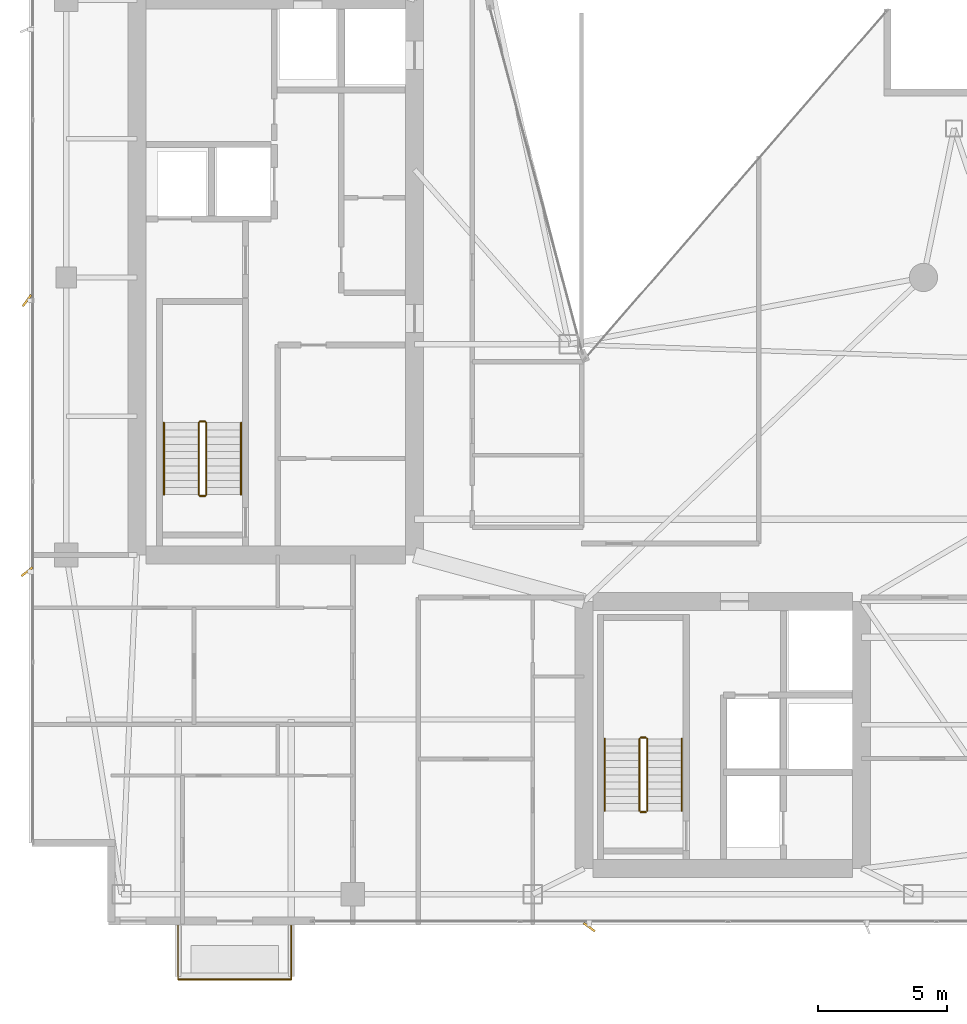
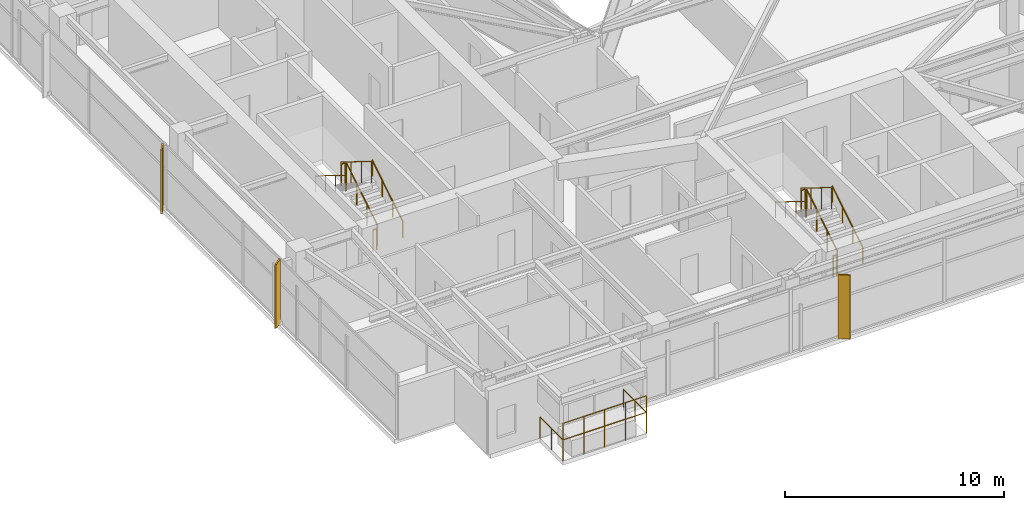
# One storey, part 28 of 29: 14 railings, 3 shading devices.
"""IFC4 building model written with IfcOpenShell, lengths in metres."""

import ifcopenshell
import ifcopenshell.guid

model = None  # the IFC model being written
_history = None  # IfcOwnerHistory: only IFC2X3 demands one
_inside = {}  # id of a spatial element -> (the spatial element, [elements in it])
_under = {}  # id of a project, library or spatial element -> (it, [spatial elements below it])
_declared = {}  # id of a project -> (the project, [libraries it declares])
_typed = {}  # id of a type object -> (the type object, [elements of that type])
_made_of = {}  # id of a material, layer set ... -> (it, [elements and type objects made of it])


def new_model(schema):
    """Start an empty IFC model of exactly this schema.

    Asked for "IFC4X3", IfcOpenShell would pick the latest addendum, in which some entities
    have other attributes; the version numbers below select the first issue.
    IFC2X3 requires an IfcOwnerHistory on every rooted entity: one is made here for all.
    """
    global model, _history
    if schema == "IFC4X3":
        model = ifcopenshell.file(schema_version=(4, 3, 0, 0))
    else:
        model = ifcopenshell.file(schema=schema)
    _inside.clear()
    _under.clear()
    _declared.clear()
    _typed.clear()
    _made_of.clear()
    _history = None
    if model.schema == "IFC2X3":
        org = make("IfcOrganization", Name="unknown")
        user = make(
            "IfcPersonAndOrganization",
            ThePerson=make("IfcPerson", FamilyName="unknown"),
            TheOrganization=org,
        )
        app = make(
            "IfcApplication",
            ApplicationDeveloper=org,
            Version="unknown",
            ApplicationFullName="unknown",
            ApplicationIdentifier="unknown",
        )
        _history = make(
            "IfcOwnerHistory",
            OwningUser=user,
            OwningApplication=app,
            ChangeAction="ADDED",
            CreationDate=0,
        )
    return model


def make(cls, **values):
    """One entity of the class cls with the attributes given. An attribute that is None is left unset."""
    return model.create_entity(
        cls, **{name: value for name, value in values.items() if value is not None}
    )


def rooted(cls, **values):
    """An entity with a GlobalId (a new one), such as an element, a storey or a relation."""
    return make(cls, GlobalId=ifcopenshell.guid.new(), OwnerHistory=_history, **values)


def si_unit(unit_type, name, prefix=None):
    """IfcSIUnit, for example si_unit("LENGTHUNIT", "METRE", prefix="MILLI")."""
    return make("IfcSIUnit", UnitType=unit_type, Prefix=prefix, Name=name)


def assignment(units):
    """IfcUnitAssignment: the units of a project."""
    return None if units is None else make("IfcUnitAssignment", Units=units)


def point(xyz):
    """IfcCartesianPoint."""
    return None if xyz is None else make("IfcCartesianPoint", Coordinates=xyz)


def direction(xyz):
    """IfcDirection."""
    return None if xyz is None else make("IfcDirection", DirectionRatios=xyz)


def frame(location, z_axis=None, x_axis=None):
    """IfcAxis2Placement3D, a coordinate frame: its origin and axes. An axis left out is left unset."""
    return make(
        "IfcAxis2Placement3D",
        Location=point(location),
        Axis=direction(z_axis),
        RefDirection=direction(x_axis),
    )


def frame_2d(location, x_axis=None):
    """IfcAxis2Placement2D, a coordinate frame in the plane: its origin and x axis."""
    return make(
        "IfcAxis2Placement2D", Location=point(location), RefDirection=direction(x_axis)
    )


def origin():
    """The frame at (0, 0, 0) with its axes left unset."""
    return frame((0.0, 0.0, 0.0))


def origin_2d():
    """The frame at (0, 0) in the plane with its x axis left unset."""
    return frame_2d((0.0, 0.0))


def place(relative_to, where):
    """IfcLocalPlacement: puts the frame where relative to a parent placement (None: the world)."""
    return make(
        "IfcLocalPlacement", PlacementRelTo=relative_to, RelativePlacement=where
    )


def context(
    kind, dimensions, precision=None, world=None, true_north=None, identifier=None
):
    """IfcGeometricRepresentationContext, for example the 3D "Model" context."""
    return make(
        "IfcGeometricRepresentationContext",
        ContextIdentifier=identifier,
        ContextType=kind,
        CoordinateSpaceDimension=dimensions,
        Precision=precision,
        WorldCoordinateSystem=world,
        TrueNorth=true_north,
    )


def subcontext(parent, identifier, kind, view, scale=None):
    """IfcGeometricRepresentationSubContext, for example "Body" below "Model"."""
    return make(
        "IfcGeometricRepresentationSubContext",
        ContextIdentifier=identifier,
        ContextType=kind,
        ParentContext=parent,
        TargetScale=scale,
        TargetView=view,
    )


def project(units=None, contexts=None):
    """IfcProject with its units and contexts."""
    return rooted(
        "IfcProject",
        Name="project",
        RepresentationContexts=contexts,
        UnitsInContext=assignment(units),
    )


def spatial(cls, under=None, at=None, **own):
    """A site, building, storey or space (cls), placed at a placement, below another one or the project."""
    s = rooted(cls, ObjectPlacement=at, **own)
    if under is not None:
        _under.setdefault(under.id(), (under, []))[1].append(s)
    return s


def profile(cls, at=None, kind="AREA", **sizes):
    """A parametric profile (cls). Its sizes go by their IFC names, for example OverallWidth=200.0."""
    return make(cls, ProfileType=kind, Position=at, **sizes)


def rectangle(**sizes):
    """IfcRectangleProfileDef."""
    return profile("IfcRectangleProfileDef", **sizes)


def circle(**sizes):
    """IfcCircleProfileDef."""
    return profile("IfcCircleProfileDef", **sizes)


def extrude(swept, where, along, depth):
    """IfcExtrudedAreaSolid: the profile swept, set in the frame where, extruded along a direction by depth."""
    return make(
        "IfcExtrudedAreaSolid",
        SweptArea=swept,
        Position=where,
        ExtrudedDirection=direction(along),
        Depth=depth,
    )


def shape(context_of_items, identifier, shape_type, items):
    """IfcShapeRepresentation: the items that make up one representation, for example the "Body"."""
    return make(
        "IfcShapeRepresentation",
        ContextOfItems=context_of_items,
        RepresentationIdentifier=identifier,
        RepresentationType=shape_type,
        Items=items,
    )


def material(Name=None, Category=None):
    """IfcMaterial."""
    return make("IfcMaterial", Name=Name, Category=Category)


def made_of(thing, what):
    """Note that an element or type object is made of a material, layer set ...; save() writes the relation."""
    if what is not None:
        _made_of.setdefault(what.id(), (what, []))[1].append(thing)
    return thing


def type_object(cls, material=None, **own):
    """A type object (cls), such as IfcWallType, which elements share."""
    return made_of(rooted(cls, **own), material)


def element(
    cls,
    number,
    at=None,
    inside=None,
    cuts=None,
    type_object=None,
    material=None,
    context=None,
    identifier="Body",
    shape_type=None,
    held_by="IfcProductDefinitionShape",
    body=None,
    shapes=None,
    **own,
):
    """One element of the class cls, such as IfcWall. Its Tag is "e" and its number.

    at: its placement. inside: the storey or other place that contains it. cuts: it is an
    opening in that element (IfcRelVoidsElement). A single representation is given by context,
    identifier, shape_type and body (its items); several are given by shapes. held_by: the class
    of the entity that holds the representations. save() writes the other relations.
    """
    e = rooted(cls, Tag="e%d" % number, ObjectPlacement=at, **own)
    if body is not None:
        shapes = [shape(context, identifier, shape_type, body)]
    if shapes is not None:
        e.Representation = make(held_by, Representations=shapes)
    if inside is not None:
        _inside.setdefault(inside.id(), (inside, []))[1].append(e)
    if cuts is not None:
        rooted(
            "IfcRelVoidsElement", RelatingBuildingElement=cuts, RelatedOpeningElement=e
        )
    if type_object is not None:
        _typed.setdefault(type_object.id(), (type_object, []))[1].append(e)
    return made_of(e, material)


def aggregate(whole, parts):
    """IfcRelAggregates: a whole, such as a stair, and the parts it consists of."""
    return rooted("IfcRelAggregates", RelatingObject=whole, RelatedObjects=parts)


def save(model, path):
    """Write the relations noted so far, then the file.

    IfcRelAggregates (storeys below a building ...), IfcRelContainedInSpatialStructure (elements
    in a storey), IfcRelDefinesByType, IfcRelAssociatesMaterial and IfcRelDeclares: one each for
    every whole, place, type object, material and project.
    """
    for whole, parts in _under.values():
        aggregate(whole, parts)
    for where, things in _inside.values():
        rooted(
            "IfcRelContainedInSpatialStructure",
            RelatedElements=things,
            RelatingStructure=where,
        )
    for kind, things in _typed.values():
        rooted("IfcRelDefinesByType", RelatedObjects=things, RelatingType=kind)
    for what, things in _made_of.values():
        rooted("IfcRelAssociatesMaterial", RelatedObjects=things, RelatingMaterial=what)
    for by, libraries in _declared.values():
        rooted("IfcRelDeclares", RelatingContext=by, RelatedDefinitions=libraries)
    model.write(path)


model = new_model("IFC4")

# Units and contexts
model_context = context("Model", 3, precision=1e-05, world=origin(), true_north=direction((0.0, 1.0)))
body_context = subcontext(model_context, "Body", "Model", "MODEL_VIEW")
ifc_project = project(units=[si_unit("LENGTHUNIT", "METRE"), si_unit("AREAUNIT", "SQUARE_METRE"), si_unit("VOLUMEUNIT", "CUBIC_METRE"), si_unit("PLANEANGLEUNIT", "RADIAN"), si_unit("MASSUNIT", "GRAM", prefix="KILO")], contexts=[model_context])

# Site, building, storey
site_placement = place(None, origin())
site = spatial("IfcSite", under=ifc_project, at=site_placement, CompositionType="ELEMENT")
building_placement = place(site_placement, origin())
building = spatial("IfcBuilding", under=site, at=building_placement, Name="Calvorn Quay Hotel", CompositionType="ELEMENT")
storey_placement = place(building_placement, frame((0.0, 0.0, 247.60009765625)))
storey = spatial("IfcBuildingStorey", under=building, at=storey_placement, Name="L61", CompositionType="ELEMENT", Elevation=247.60009765625)

# Railings
ifc_material_1 = material(Name="Pale Anodised Aluminium and Laminated Glass", Category="aluminium")
railing_type_1 = type_object("IfcRailingType", Name="RLG-BALUSTRADE-1200", PredefinedType="BALUSTRADE", material=ifc_material_1)
railing_1_placement = place(storey_placement, frame((5.800048828125, 2.389892578125, 0.0)))
element("IfcRailing", 1, at=railing_1_placement, inside=storey, type_object=railing_type_1, Name="Tree Balcony Perimeter Balustrade L61-BALC-S", PredefinedType="BALUSTRADE", context=body_context, shape_type="SweptSolid", body=[
    extrude(circle(Radius=0.02392578125, at=origin_2d()), frame((0.0, 0.0, 1.17578125), z_axis=(0.0, -1.0, 0.0), x_axis=(1.0, 0.0, 0.0)), (0.0, 0.0, 1.0), 2.099853515625),
    extrude(circle(Radius=0.02392578125, at=origin_2d()), frame((0.0, -2.099853515625, 1.17578125), z_axis=(1.0, 0.0, 0.0), x_axis=(0.0, 1.0, 0.0)), (0.0, 0.0, 1.0), 4.39990234375),
    extrude(circle(Radius=0.02392578125, at=origin_2d()), frame((4.39990234375, -2.099853515625, 1.17578125), z_axis=(0.0, 1.0, 0.0), x_axis=(-1.0, 0.0, 0.0)), (0.0, 0.0, 1.0), 2.099853515625),
    extrude(circle(Radius=0.02099609375, at=origin_2d()), origin(), (0.0, 0.0, 1.0), 1.15185546875),
    extrude(circle(Radius=0.02099609375, at=origin_2d()), frame((0.0, -1.0498046875, 0.0)), (0.0, 0.0, 1.0), 1.15185546875),
    extrude(circle(Radius=0.02099609375, at=origin_2d()), frame((0.0, -2.099853515625, 0.0)), (0.0, 0.0, 1.0), 1.15185546875),
    extrude(circle(Radius=0.02099609375, at=origin_2d()), frame((1.10009765625, -2.099853515625, 0.0)), (0.0, 0.0, 1.0), 1.15185546875),
    extrude(circle(Radius=0.02099609375, at=origin_2d()), frame((2.199951171875, -2.099853515625, 0.0)), (0.0, 0.0, 1.0), 1.15185546875),
    extrude(circle(Radius=0.02099609375, at=origin_2d()), frame((3.2998046875, -2.099853515625, 0.0)), (0.0, 0.0, 1.0), 1.15185546875),
    extrude(circle(Radius=0.02099609375, at=origin_2d()), frame((4.39990234375, -2.099853515625, 0.0)), (0.0, 0.0, 1.0), 1.15185546875),
    extrude(circle(Radius=0.02099609375, at=origin_2d()), frame((4.39990234375, -1.0498046875, 0.0)), (0.0, 0.0, 1.0), 1.15185546875),
    extrude(circle(Radius=0.02099609375, at=origin_2d()), frame((4.39990234375, 0.0, 0.0)), (0.0, 0.0, 1.0), 1.15185546875),
])
railing_2_placement = place(storey_placement, frame((5.800048828125, 0.2900390625, 0.89990234375)))
element("IfcRailing", 2, at=railing_2_placement, inside=storey, type_object=railing_type_1, Name="Planter Kerb High Safety Screen L61-BALC-S", PredefinedType="BALUSTRADE", context=body_context, shape_type="SweptSolid", body=[
    extrude(circle(Radius=0.02392578125, at=origin_2d()), frame((0.0, 0.0, 1.19580078125), z_axis=(1.0, 0.0, 0.0), x_axis=(0.0, 1.0, 0.0)), (0.0, 0.0, 1.0), 4.39990234375),
    extrude(circle(Radius=0.02099609375, at=origin_2d()), origin(), (0.0, 0.0, 1.0), 1.171875),
    extrude(circle(Radius=0.02099609375, at=origin_2d()), frame((1.10009765625, 0.0, 0.0)), (0.0, 0.0, 1.0), 1.171875),
    extrude(circle(Radius=0.02099609375, at=origin_2d()), frame((2.199951171875, 0.0, 0.0)), (0.0, 0.0, 1.0), 1.171875),
    extrude(circle(Radius=0.02099609375, at=origin_2d()), frame((3.2998046875, 0.0, 0.0)), (0.0, 0.0, 1.0), 1.171875),
    extrude(circle(Radius=0.02099609375, at=origin_2d()), frame((4.39990234375, 0.0, 0.0)), (0.0, 0.0, 1.0), 1.171875),
])
ifc_material_2 = material(Name="Brushed Stainless Steel Handrail", Category="steel")
railing_type_2 = type_object("IfcRailingType", Name="RLG-HANDRAIL-900", PredefinedType="HANDRAIL", material=ifc_material_2)
railing_3_placement = place(storey_placement, frame((8.25, 19.14990234375, 0.172607421875)))
element("IfcRailing", 3, at=railing_3_placement, inside=storey, type_object=railing_type_2, Name="L61 ST-W stair handrail 1", PredefinedType="HANDRAIL", context=body_context, shape_type="SweptSolid", body=[
    extrude(circle(Radius=0.02392578125, at=origin_2d()), frame((0.0, 0.0, 0.8759765625), z_axis=(0.0, 0.851089632645, 0.525020415988), x_axis=(-1.0, 0.0, 0.0)), (0.0, 0.0, 1.0), 3.2900390625),
    extrude(circle(Radius=0.02099609375, at=origin_2d()), origin(), (0.0, 0.0, 1.0), 0.851806640625),
    extrude(circle(Radius=0.02099609375, at=origin_2d()), frame((0.0, 0.933349609375, 0.57568359375)), (0.0, 0.0, 1.0), 0.851806640625),
    extrude(circle(Radius=0.02099609375, at=origin_2d()), frame((0.0, 1.86669921875, 1.151611328125)), (0.0, 0.0, 1.0), 0.851806640625),
    extrude(circle(Radius=0.02099609375, at=origin_2d()), frame((0.0, 2.800048828125, 1.727294921875)), (0.0, 0.0, 1.0), 0.851806640625),
])
railing_4_placement = place(storey_placement, frame((5.25, 21.949951171875, 2.072509765625)))
element("IfcRailing", 4, at=railing_4_placement, inside=storey, type_object=railing_type_2, Name="L61 ST-W stair handrail 2", PredefinedType="HANDRAIL", context=body_context, shape_type="SweptSolid", body=[
    extrude(circle(Radius=0.02392578125, at=origin_2d()), frame((0.0, 0.0, 0.8759765625), z_axis=(0.0, -0.851089632645, 0.525020415988), x_axis=(1.0, 0.0, 0.0)), (0.0, 0.0, 1.0), 3.2900390625),
    extrude(circle(Radius=0.02099609375, at=origin_2d()), origin(), (0.0, 0.0, 1.0), 0.851806640625),
    extrude(circle(Radius=0.02099609375, at=origin_2d()), frame((0.0, -0.933349609375, 0.57568359375)), (0.0, 0.0, 1.0), 0.851806640625),
    extrude(circle(Radius=0.02099609375, at=origin_2d()), frame((0.0, -1.86669921875, 1.151611328125)), (0.0, 0.0, 1.0), 0.851806640625),
    extrude(circle(Radius=0.02099609375, at=origin_2d()), frame((0.0, -2.800048828125, 1.727294921875)), (0.0, 0.0, 1.0), 0.851806640625),
])
railing_5_placement = place(storey_placement, frame((25.39990234375, 6.85009765625, 0.172607421875)))
element("IfcRailing", 5, at=railing_5_placement, inside=storey, type_object=railing_type_2, Name="L61 ST-E stair handrail 1", PredefinedType="HANDRAIL", context=body_context, shape_type="SweptSolid", body=[
    extrude(circle(Radius=0.02392578125, at=origin_2d()), frame((0.0, 0.0, 0.8759765625), z_axis=(0.0, 0.851069175582, 0.525053576669), x_axis=(-1.0, 0.0, 0.0)), (0.0, 0.0, 1.0), 3.289794921875),
    extrude(circle(Radius=0.02099609375, at=origin_2d()), origin(), (0.0, 0.0, 1.0), 0.851806640625),
    extrude(circle(Radius=0.02099609375, at=origin_2d()), frame((0.0, 0.933349609375, 0.57568359375)), (0.0, 0.0, 1.0), 0.851806640625),
    extrude(circle(Radius=0.02099609375, at=origin_2d()), frame((0.0, 1.866455078125, 1.151611328125)), (0.0, 0.0, 1.0), 0.851806640625),
    extrude(circle(Radius=0.02099609375, at=origin_2d()), frame((0.0, 2.7998046875, 1.727294921875)), (0.0, 0.0, 1.0), 0.851806640625),
])
railing_6_placement = place(storey_placement, frame((22.39990234375, 9.64990234375, 2.072509765625)))
element("IfcRailing", 6, at=railing_6_placement, inside=storey, type_object=railing_type_2, Name="L61 ST-E stair handrail 2", PredefinedType="HANDRAIL", context=body_context, shape_type="SweptSolid", body=[
    extrude(circle(Radius=0.02392578125, at=origin_2d()), frame((0.0, 0.0, 0.8759765625), z_axis=(0.0, -0.851069175582, 0.525053576669), x_axis=(1.0, 0.0, 0.0)), (0.0, 0.0, 1.0), 3.289794921875),
    extrude(circle(Radius=0.02099609375, at=origin_2d()), origin(), (0.0, 0.0, 1.0), 0.851806640625),
    extrude(circle(Radius=0.02099609375, at=origin_2d()), frame((0.0, -0.933349609375, 0.57568359375)), (0.0, 0.0, 1.0), 0.851806640625),
    extrude(circle(Radius=0.02099609375, at=origin_2d()), frame((0.0, -1.866455078125, 1.151611328125)), (0.0, 0.0, 1.0), 0.851806640625),
    extrude(circle(Radius=0.02099609375, at=origin_2d()), frame((0.0, -2.7998046875, 1.727294921875)), (0.0, 0.0, 1.0), 0.851806640625),
])
ifc_material_3 = material(Name="Painted Galvanised Steel Balustrade", Category="steel")
railing_type_3 = type_object("IfcRailingType", Name="RLG-STAIR-GUARD-1120", PredefinedType="GUARDRAIL", material=ifc_material_3)
railing_7_placement = place(storey_placement, frame((6.89990234375, 19.14990234375, 0.172607421875)))
element("IfcRailing", 7, at=railing_7_placement, inside=storey, type_object=railing_type_3, Name="L61 ST-W stair guard 1", PredefinedType="GUARDRAIL", context=body_context, shape_type="SweptSolid", body=[
    extrude(circle(Radius=0.02392578125, at=origin_2d()), frame((0.0, 0.0, 1.17578125), z_axis=(0.0, 0.851089632645, 0.525020415988), x_axis=(-1.0, 0.0, 0.0)), (0.0, 0.0, 1.0), 3.2900390625),
    extrude(circle(Radius=0.02099609375, at=origin_2d()), origin(), (0.0, 0.0, 1.0), 1.15185546875),
    extrude(circle(Radius=0.02099609375, at=origin_2d()), frame((0.0, 0.933349609375, 0.57568359375)), (0.0, 0.0, 1.0), 1.15185546875),
    extrude(circle(Radius=0.02099609375, at=origin_2d()), frame((0.0, 1.86669921875, 1.151611328125)), (0.0, 0.0, 1.0), 1.15185546875),
    extrude(circle(Radius=0.02099609375, at=origin_2d()), frame((0.0, 2.800048828125, 1.727294921875)), (0.0, 0.0, 1.0), 1.15185546875),
])
railing_8_placement = place(storey_placement, frame((6.85009765625, 22.0, 1.89990234375)))
element("IfcRailing", 8, at=railing_8_placement, inside=storey, type_object=railing_type_3, Name="L61 ST-W stair guard 2", PredefinedType="GUARDRAIL", context=body_context, shape_type="SweptSolid", body=[
    extrude(circle(Radius=0.02392578125, at=origin_2d()), frame((0.0, 0.0, 1.17578125), z_axis=(-1.0, 0.0, 0.0), x_axis=(0.0, -1.0, 0.0)), (0.0, 0.0, 1.0), 0.2001953125),
    extrude(circle(Radius=0.02099609375, at=origin_2d()), origin(), (0.0, 0.0, 1.0), 1.15185546875),
    extrude(circle(Radius=0.02099609375, at=origin_2d()), frame((-0.2001953125, 0.0, 0.0)), (0.0, 0.0, 1.0), 1.15185546875),
])
railing_9_placement = place(storey_placement, frame((6.60009765625, 21.949951171875, 2.072509765625)))
element("IfcRailing", 9, at=railing_9_placement, inside=storey, type_object=railing_type_3, Name="L61 ST-W stair guard 3", PredefinedType="GUARDRAIL", context=body_context, shape_type="SweptSolid", body=[
    extrude(circle(Radius=0.02392578125, at=origin_2d()), frame((0.0, 0.0, 1.17578125), z_axis=(0.0, -0.851089632645, 0.525020415988), x_axis=(1.0, 0.0, 0.0)), (0.0, 0.0, 1.0), 3.2900390625),
    extrude(circle(Radius=0.02099609375, at=origin_2d()), origin(), (0.0, 0.0, 1.0), 1.15185546875),
    extrude(circle(Radius=0.02099609375, at=origin_2d()), frame((0.0, -0.933349609375, 0.57568359375)), (0.0, 0.0, 1.0), 1.15185546875),
    extrude(circle(Radius=0.02099609375, at=origin_2d()), frame((0.0, -1.86669921875, 1.151611328125)), (0.0, 0.0, 1.0), 1.15185546875),
    extrude(circle(Radius=0.02099609375, at=origin_2d()), frame((0.0, -2.800048828125, 1.727294921875)), (0.0, 0.0, 1.0), 1.15185546875),
])
railing_10_placement = place(storey_placement, frame((6.85009765625, 19.10009765625, 0.0)))
element("IfcRailing", 10, at=railing_10_placement, inside=storey, type_object=railing_type_3, Name="L61 ST-W stair guard 4", PredefinedType="GUARDRAIL", context=body_context, shape_type="SweptSolid", body=[
    extrude(circle(Radius=0.02392578125, at=origin_2d()), frame((0.0, 0.0, 1.17578125), z_axis=(-1.0, 0.0, 0.0), x_axis=(0.0, -1.0, 0.0)), (0.0, 0.0, 1.0), 0.2001953125),
    extrude(circle(Radius=0.02099609375, at=origin_2d()), origin(), (0.0, 0.0, 1.0), 1.15185546875),
    extrude(circle(Radius=0.02099609375, at=origin_2d()), frame((-0.2001953125, 0.0, 0.0)), (0.0, 0.0, 1.0), 1.15185546875),
])
railing_11_placement = place(storey_placement, frame((24.050048828125, 6.85009765625, 0.172607421875)))
element("IfcRailing", 11, at=railing_11_placement, inside=storey, type_object=railing_type_3, Name="L61 ST-E stair guard 1", PredefinedType="GUARDRAIL", context=body_context, shape_type="SweptSolid", body=[
    extrude(circle(Radius=0.02392578125, at=origin_2d()), frame((0.0, 0.0, 1.17578125), z_axis=(0.0, 0.851069175582, 0.525053576669), x_axis=(-1.0, 0.0, 0.0)), (0.0, 0.0, 1.0), 3.289794921875),
    extrude(circle(Radius=0.02099609375, at=origin_2d()), origin(), (0.0, 0.0, 1.0), 1.15185546875),
    extrude(circle(Radius=0.02099609375, at=origin_2d()), frame((0.0, 0.933349609375, 0.57568359375)), (0.0, 0.0, 1.0), 1.15185546875),
    extrude(circle(Radius=0.02099609375, at=origin_2d()), frame((0.0, 1.866455078125, 1.151611328125)), (0.0, 0.0, 1.0), 1.15185546875),
    extrude(circle(Radius=0.02099609375, at=origin_2d()), frame((0.0, 2.7998046875, 1.727294921875)), (0.0, 0.0, 1.0), 1.15185546875),
])
railing_12_placement = place(storey_placement, frame((24.0, 9.699951171875, 1.89990234375)))
element("IfcRailing", 12, at=railing_12_placement, inside=storey, type_object=railing_type_3, Name="L61 ST-E stair guard 2", PredefinedType="GUARDRAIL", context=body_context, shape_type="SweptSolid", body=[
    extrude(circle(Radius=0.02392578125, at=origin_2d()), frame((0.0, 0.0, 1.17578125), z_axis=(-1.0, 0.0, 0.0), x_axis=(0.0, -1.0, 0.0)), (0.0, 0.0, 1.0), 0.199951171875),
    extrude(circle(Radius=0.02099609375, at=origin_2d()), origin(), (0.0, 0.0, 1.0), 1.15185546875),
    extrude(circle(Radius=0.02099609375, at=origin_2d()), frame((-0.199951171875, 0.0, 0.0)), (0.0, 0.0, 1.0), 1.15185546875),
])
railing_13_placement = place(storey_placement, frame((23.75, 9.64990234375, 2.072509765625)))
element("IfcRailing", 13, at=railing_13_placement, inside=storey, type_object=railing_type_3, Name="L61 ST-E stair guard 3", PredefinedType="GUARDRAIL", context=body_context, shape_type="SweptSolid", body=[
    extrude(circle(Radius=0.02392578125, at=origin_2d()), frame((0.0, 0.0, 1.17578125), z_axis=(0.0, -0.851069175582, 0.525053576669), x_axis=(1.0, 0.0, 0.0)), (0.0, 0.0, 1.0), 3.289794921875),
    extrude(circle(Radius=0.02099609375, at=origin_2d()), origin(), (0.0, 0.0, 1.0), 1.15185546875),
    extrude(circle(Radius=0.02099609375, at=origin_2d()), frame((0.0, -0.933349609375, 0.57568359375)), (0.0, 0.0, 1.0), 1.15185546875),
    extrude(circle(Radius=0.02099609375, at=origin_2d()), frame((0.0, -1.866455078125, 1.151611328125)), (0.0, 0.0, 1.0), 1.15185546875),
    extrude(circle(Radius=0.02099609375, at=origin_2d()), frame((0.0, -2.7998046875, 1.727294921875)), (0.0, 0.0, 1.0), 1.15185546875),
])
railing_14_placement = place(storey_placement, frame((24.0, 6.800048828125, 0.0)))
element("IfcRailing", 14, at=railing_14_placement, inside=storey, type_object=railing_type_3, Name="L61 ST-E stair guard 4", PredefinedType="GUARDRAIL", context=body_context, shape_type="SweptSolid", body=[
    extrude(circle(Radius=0.02392578125, at=origin_2d()), frame((0.0, 0.0, 1.17578125), z_axis=(-1.0, 0.0, 0.0), x_axis=(0.0, -1.0, 0.0)), (0.0, 0.0, 1.0), 0.199951171875),
    extrude(circle(Radius=0.02099609375, at=origin_2d()), origin(), (0.0, 0.0, 1.0), 1.15185546875),
    extrude(circle(Radius=0.02099609375, at=origin_2d()), frame((-0.199951171875, 0.0, 0.0)), (0.0, 0.0, 1.0), 1.15185546875),
])

# Shading devices
ifc_material_4 = material(Name="Champagne Bronze Anodised Aluminium 6063-T6", Category="aluminium")
shading_device_type_1 = type_object("IfcShadingDeviceType", Name="SHD-FIN-A2", PredefinedType="USERDEFINED", material=ifc_material_4)
shading_device_placement = place(storey_placement, frame((-0.080078125, 16.14990234375, -0.000244140625), z_axis=(0.0, 0.0, 1.0), x_axis=(0.788010753607, 0.615661475326, 0.0)))
element("IfcShadingDevice", 15, at=shading_device_placement, inside=storey, type_object=shading_device_type_1, Name="Diagonal Sun-Shading Fin L61-W01", ObjectType="FIN", PredefinedType="USERDEFINED", context=body_context, shape_type="SweptSolid", body=[
    extrude(rectangle(XDim=0.550048828125, YDim=0.080078125, at=origin_2d()), origin(), (0.0, 0.0, 1.0), 3.56005859375),
])
ifc_material_5 = material(Name="Champagne Bronze Anodised Aluminium 6063-T6", Category="aluminium")
shading_device_type_2 = type_object("IfcShadingDeviceType", Name="SHD-FIN-A3", PredefinedType="USERDEFINED", material=ifc_material_5)
for number, where, z_axis, x_axis, name in (
    (16, (-0.080078125, 26.699951171875, -0.000244140625), (0.0, 0.0, 1.0), (0.587785252292, 0.809016994375, 0.0), "Diagonal Sun-Shading Fin L61-W02"),
    (17, (21.800048828125, 2.320068359375, -0.000244140625), (0.0, 0.0, 1.0), (-0.809016994375, 0.587785252292, 0.0), "Diagonal Sun-Shading Fin L61-S01"),
):
    element("IfcShadingDevice", number, at=place(storey_placement, frame(where, z_axis=z_axis, x_axis=x_axis)), inside=storey, type_object=shading_device_type_2, Name=name, ObjectType="FIN", PredefinedType="USERDEFINED", context=body_context, shape_type="SweptSolid", body=[
        extrude(rectangle(XDim=0.550048828125, YDim=0.080078125, at=origin_2d()), origin(), (0.0, 0.0, 1.0), 3.56005859375),
    ])

save(model, "model.ifc")
